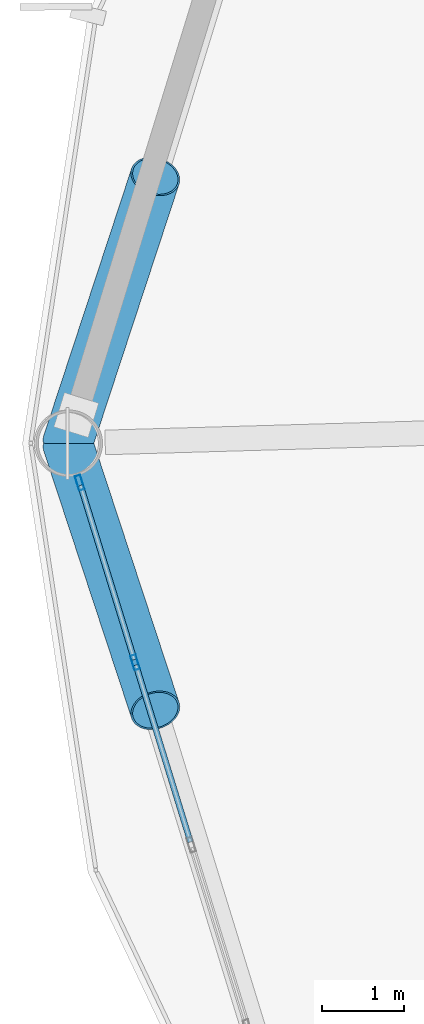
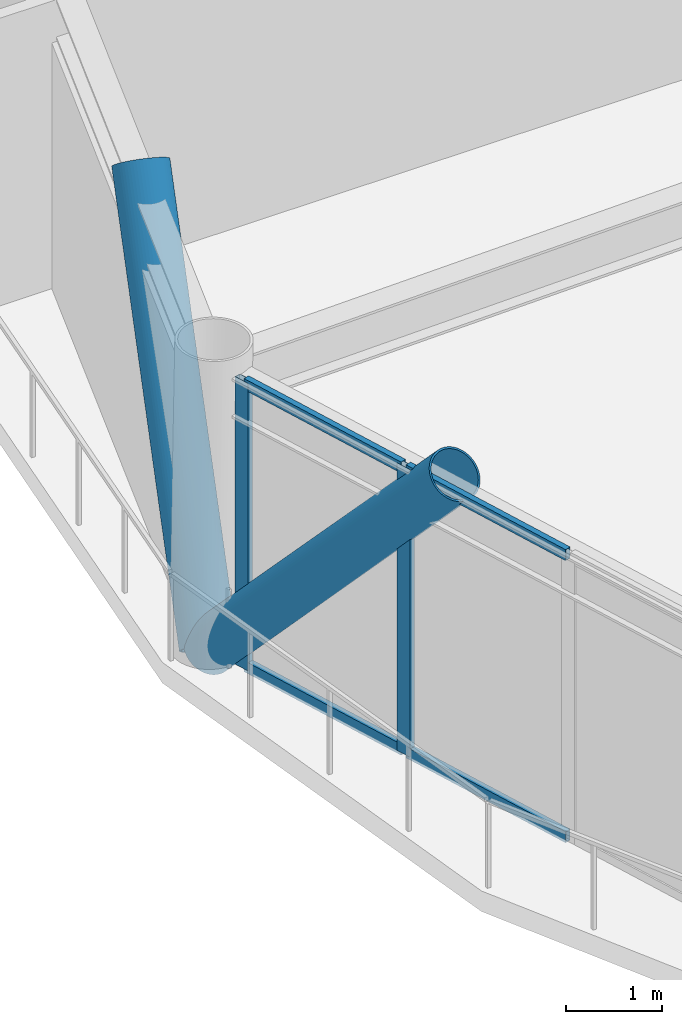
# One storey, part 7 of 25: 8 members, 1 element without a shape of its own.
"""IFC4 building model written with IfcOpenShell, lengths in metres."""

from ifc_helpers import new_model, si_unit, direction, frame, origin, origin_2d, place, context, subcontext, project, spatial, hollow_rectangle, hollow_circle, extrude, material, layer, layer_set, material_profile, profile_set, type_object, element, aggregate, save


model = new_model("IFC4")

# Units and contexts
model_context = context("Model", 3, precision=1e-05, world=origin(), true_north=direction((0.0, 1.0)))
body_context = subcontext(model_context, "Body", "Model", "MODEL_VIEW")
ifc_project = project(units=[si_unit("LENGTHUNIT", "METRE"), si_unit("AREAUNIT", "SQUARE_METRE"), si_unit("VOLUMEUNIT", "CUBIC_METRE"), si_unit("PLANEANGLEUNIT", "RADIAN"), si_unit("MASSUNIT", "GRAM", prefix="KILO")], contexts=[model_context])

# Site, building, storey
site_placement = place(None, origin())
site = spatial("IfcSite", under=ifc_project, at=site_placement, CompositionType="ELEMENT")
building_placement = place(site_placement, origin())
building = spatial("IfcBuilding", under=site, at=building_placement, Name="Varnakorn Sky Granary", CompositionType="ELEMENT")
storey_placement = place(building_placement, frame((0.0, 0.0, 99.300048828125)))
storey = spatial("IfcBuildingStorey", under=building, at=storey_placement, Name="L24", CompositionType="ELEMENT", Elevation=99.300048828125)

# Curtain wall, members
ifc_material_1 = material(Name="Anodised Bronze Aluminium Alloy 6063-T6", Category="aluminium")
ifc_layer = layer(ifc_material_1, 0.18994140625, Name="Anodised Bronze Aluminium Alloy 6063-T6")
ifc_layer_set = layer_set([ifc_layer], Name="Anodised Bronze Aluminium Alloy 6063-T6")
curtain_wall_type = type_object("IfcCurtainWallType", Name="CW-FRM-1", PredefinedType="USERDEFINED", material=ifc_layer_set)
curtain_wall_placement = place(storey_placement, origin())
curtain_wall = element("IfcCurtainWall", 1, at=curtain_wall_placement, inside=storey, type_object=curtain_wall_type, Name="Unitised Curtain Wall CW3 CW-L24-B07", ObjectType="CURTAIN WALL", PredefinedType="USERDEFINED")
ifc_material_profile_1 = material_profile(ifc_material_1, hollow_rectangle(XDim=0.070068359375, YDim=0.18505859375, WallThickness=0.00390625, at=origin_2d()), Name="ALU MULL 70x185")
ifc_profile_set_1 = profile_set([ifc_material_profile_1], Name="Anodised Bronze Aluminium Alloy 6063-T6")
member_type_1 = type_object("IfcMemberType", Name="CW-FRM-1-MULL", PredefinedType="MULLION", material=ifc_profile_set_1)
member_1_placement = place(storey_placement, frame((-22.326904296875, -2.66943359375, 0.0), z_axis=(0.0, 0.0, 1.0), x_axis=(-0.955604848445, -0.294651274609, 0.0)))
member_1 = element("IfcMember", 2, at=member_1_placement, type_object=member_type_1, Name="CW3 mullion 4", PredefinedType="MULLION", context=body_context, shape_type="SweptSolid", body=[
    extrude(hollow_rectangle(XDim=0.070068359375, YDim=0.18505859375, WallThickness=0.00390625, at=origin_2d()), origin(), (0.0, 0.0, 1.0), 3.639892578125),
])
member_2_placement = place(storey_placement, frame((-23.002197265625, -0.479248046875, 0.0), z_axis=(0.0, 0.0, 1.0), x_axis=(-0.955604848445, -0.294651274609, 0.0)))
member_2 = element("IfcMember", 3, at=member_2_placement, type_object=member_type_1, Name="CW3 mullion 5", PredefinedType="MULLION", context=body_context, shape_type="SweptSolid", body=[
    extrude(hollow_rectangle(XDim=0.070068359375, YDim=0.18505859375, WallThickness=0.00390625, at=origin_2d()), origin(), (0.0, 0.0, 1.0), 3.639892578125),
])
ifc_material_profile_2 = material_profile(ifc_material_1, hollow_rectangle(XDim=0.070068359375, YDim=0.139892578125, WallThickness=0.00341796875, at=origin_2d()), Name="ALU TRAN 70x140")
ifc_profile_set_2 = profile_set([ifc_material_profile_2], Name="Anodised Bronze Aluminium Alloy 6063-T6")
member_type_2 = type_object("IfcMemberType", Name="CW-FRM-1-TRAN", PredefinedType="USERDEFINED", material=ifc_profile_set_2)
member_3_placement = place(storey_placement, frame((-21.651611328125, -4.859619140625, 0.034912109375), z_axis=(-0.294663497891, 0.955601079431, 0.0), x_axis=(-0.955601079431, -0.294663497891, 0.0)))
member_3 = element("IfcMember", 4, at=member_3_placement, type_object=member_type_2, Name="CW3 transom 3.1", ObjectType="TRANSOM", PredefinedType="USERDEFINED", context=body_context, shape_type="SweptSolid", body=[
    extrude(hollow_rectangle(XDim=0.070068359375, YDim=0.139892578125, WallThickness=0.00341796875, at=origin_2d()), origin(), (0.0, 0.0, 1.0), 2.2568359375),
])
member_4_placement = place(storey_placement, frame((-21.651611328125, -4.859619140625, 3.60498046875), z_axis=(-0.294663497891, 0.955601079431, 0.0), x_axis=(-0.955601079431, -0.294663497891, 0.0)))
member_4 = element("IfcMember", 5, at=member_4_placement, type_object=member_type_2, Name="CW3 transom 3.2", ObjectType="TRANSOM", PredefinedType="USERDEFINED", context=body_context, shape_type="SweptSolid", body=[
    extrude(hollow_rectangle(XDim=0.070068359375, YDim=0.139892578125, WallThickness=0.00341796875, at=origin_2d()), origin(), (0.0, 0.0, 1.0), 2.2568359375),
])
member_5_placement = place(storey_placement, frame((-22.337158203125, -2.635986328125, 0.034912109375), z_axis=(-0.294688030946, 0.955593514219, 0.0), x_axis=(-0.955593514219, -0.294688030946, 0.0)))
member_5 = element("IfcMember", 6, at=member_5_placement, type_object=member_type_2, Name="CW3 transom 4.1", ObjectType="TRANSOM", PredefinedType="USERDEFINED", context=body_context, shape_type="SweptSolid", body=[
    extrude(hollow_rectangle(XDim=0.070068359375, YDim=0.139892578125, WallThickness=0.00341796875, at=origin_2d()), origin(), (0.0, 0.0, 1.0), 2.221923828125),
])
member_6_placement = place(storey_placement, frame((-22.337158203125, -2.635986328125, 3.60498046875), z_axis=(-0.294688030946, 0.955593514219, 0.0), x_axis=(-0.955593514219, -0.294688030946, 0.0)))
member_6 = element("IfcMember", 7, at=member_6_placement, type_object=member_type_2, Name="CW3 transom 4.2", ObjectType="TRANSOM", PredefinedType="USERDEFINED", context=body_context, shape_type="SweptSolid", body=[
    extrude(hollow_rectangle(XDim=0.070068359375, YDim=0.139892578125, WallThickness=0.00341796875, at=origin_2d()), origin(), (0.0, 0.0, 1.0), 2.221923828125),
])
aggregate(curtain_wall, [member_1, member_2, member_3, member_4, member_5, member_6])

# Members
ifc_material_2 = material(Name="Steel S460M", Category="steel")
ifc_material_profile_3 = material_profile(ifc_material_2, hollow_circle(Radius=0.304931640625, WallThickness=0.022216796875, at=origin_2d()), Name="CHS 610x22")
ifc_profile_set_3 = profile_set([ifc_material_profile_3], Name="Steel S460M")
member_type_3 = type_object("IfcMemberType", Name="MB-DIAG-T1", PredefinedType="BRACE", material=ifc_profile_set_3)
for number, where, z_axis, x_axis, name in (
    (8, (-23.14990234375, 0.0, 0.0), (0.209413830721, 0.636986980757, 0.741885054338), (-0.949979499636, 0.312312264041, 0.0), "Perimeter CHS Diagrid Brace DG06 L24"),
    (9, (-23.14990234375, 0.0, 0.0), (0.209413830721, -0.636986980757, 0.741885054338), (0.949979499636, 0.312312264041, 0.0), "Perimeter CHS Diagrid Brace DG07 L24"),
):
    element("IfcMember", number, at=place(storey_placement, frame(where, z_axis=z_axis, x_axis=x_axis)), inside=storey, type_object=member_type_3, Name=name, PredefinedType="BRACE", context=body_context, shape_type="SweptSolid", body=[
        extrude(hollow_circle(Radius=0.304931640625, WallThickness=0.022216796875, at=origin_2d()), origin(), (0.0, 0.0, 1.0), 5.108642578125),
    ])

save(model, "model.ifc")
